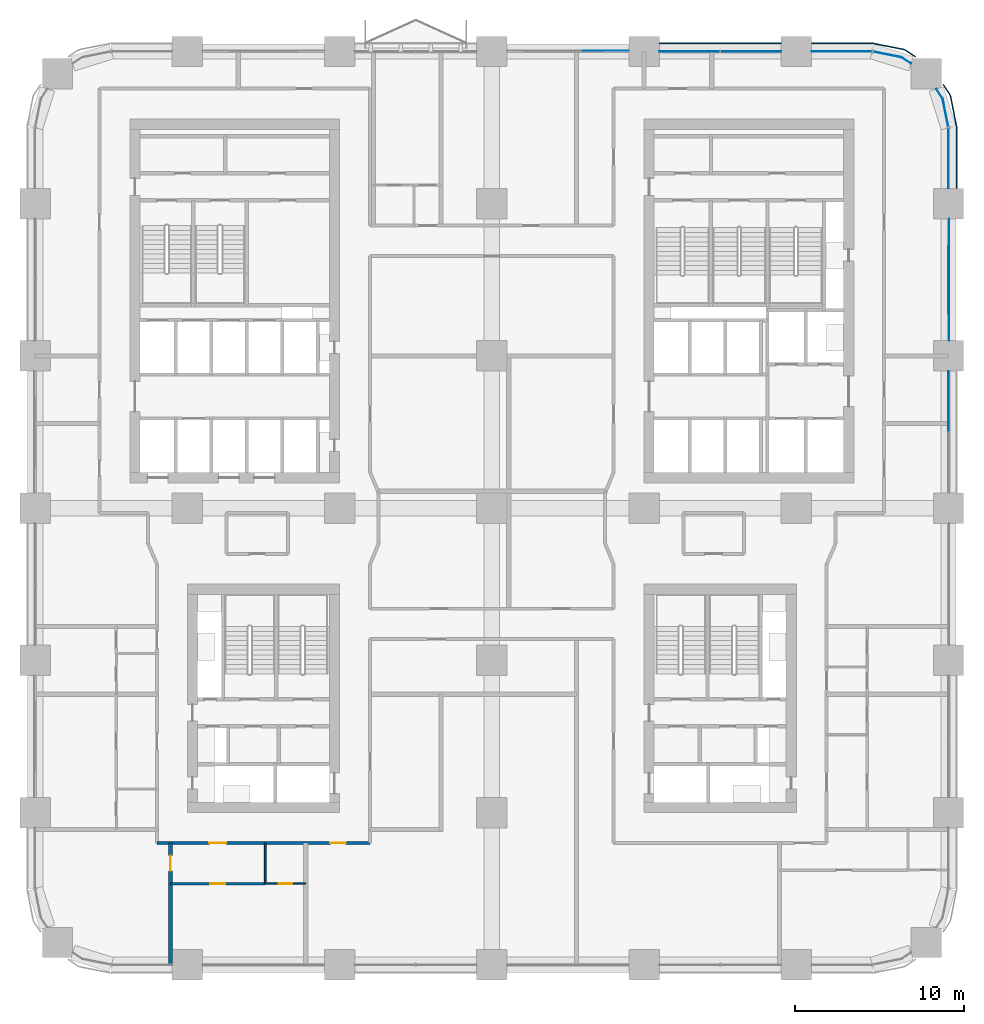
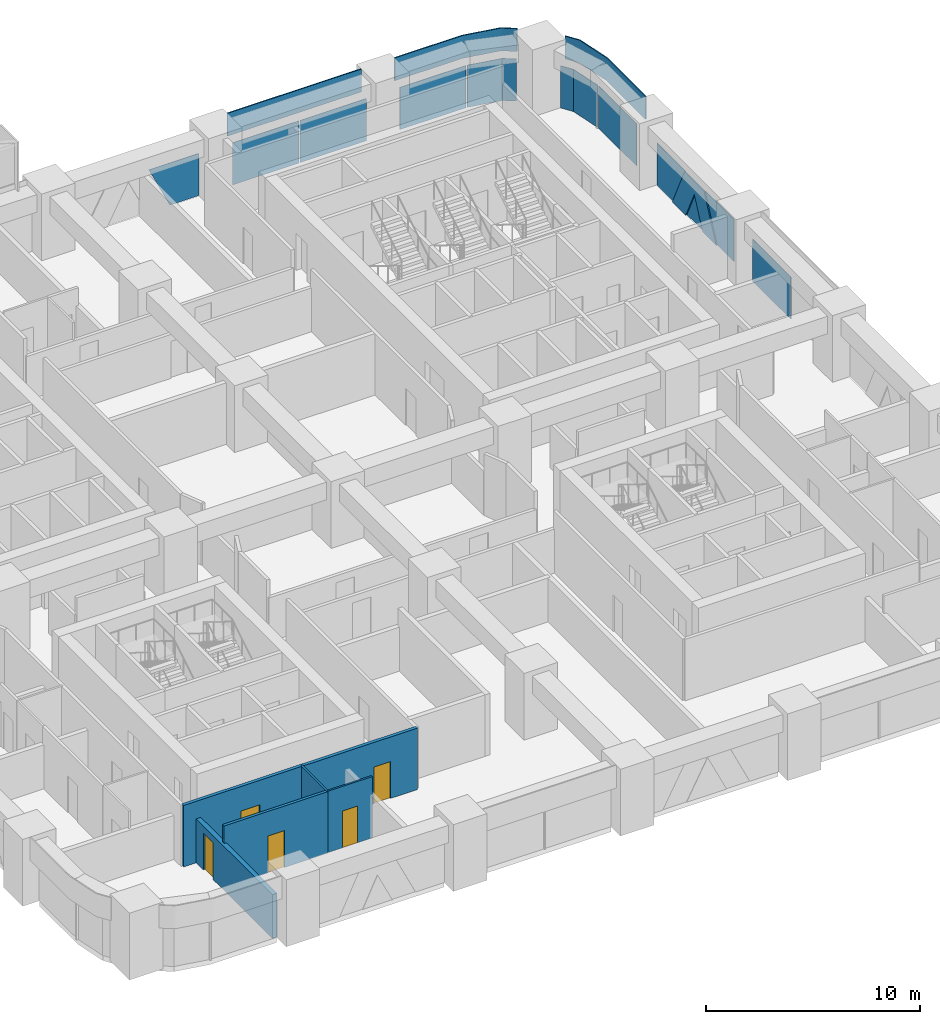
# One storey, part 12 of 23: 15 plates, 5 doors, 5 walls, 5 openings, 6 elements without a shape of their own.
"""IFC4 building model written with IfcOpenShell, lengths in metres."""

from ifc_helpers import new_model, si_unit, direction, frame, frame_2d, origin, origin_2d, place, context, subcontext, project, spatial, polyline, rectangle, outline, extrude, material, layer, layer_set, type_object, element, fill, aggregate, save


model = new_model("IFC4")

# Units and contexts
model_context = context("Model", 3, precision=1e-05, world=origin(), true_north=direction((0.0, 1.0)))
body_context = subcontext(model_context, "Body", "Model", "MODEL_VIEW")
ifc_project = project(units=[si_unit("LENGTHUNIT", "METRE"), si_unit("AREAUNIT", "SQUARE_METRE"), si_unit("VOLUMEUNIT", "CUBIC_METRE"), si_unit("PLANEANGLEUNIT", "RADIAN"), si_unit("MASSUNIT", "GRAM", prefix="KILO")], contexts=[model_context])

# Site, building, storey
site_placement = place(None, origin())
site = spatial("IfcSite", under=ifc_project, at=site_placement, CompositionType="ELEMENT")
building_placement = place(site_placement, origin())
building = spatial("IfcBuilding", under=site, at=building_placement, Name="Tessera Arch", CompositionType="ELEMENT")
storey_placement = place(building_placement, frame((0.0, 0.0, 34.800048828125)))
storey = spatial("IfcBuildingStorey", under=building, at=storey_placement, Name="L06", CompositionType="ELEMENT", Elevation=34.800048828125)

# Curtain wall, plate
ifc_material_1 = material(Name="CW1 curtain wall")
curtain_wall_type_1 = type_object("IfcCurtainWallType", Name="CW1 curtain wall", PredefinedType="NOTDEFINED", material=ifc_material_1)
curtain_wall_1_placement = place(storey_placement, origin())
curtain_wall_1 = element("IfcCurtainWall", 1, at=curtain_wall_1_placement, inside=storey, type_object=curtain_wall_type_1, Name="CW1 curtain wall E54.0/3 L06", PredefinedType="NOTDEFINED")
ifc_material_2 = material(Name="Clear low-e glass", Category="glass")
ifc_material_3 = material(Name="Clear low-e glass", Category="glass")
ifc_layer_1 = layer(ifc_material_3, 0.028076171875)
ifc_layer_set_1 = layer_set([ifc_layer_1], Name="CW1 glass panel")
plate_type_1 = type_object("IfcPlateType", Name="CW1 glass panel", PredefinedType="CURTAIN_PANEL", material=ifc_layer_set_1)
plate_1_placement = place(storey_placement, frame((54.0, 33.31494140625, 0.0), z_axis=(0.0, 0.0, 1.0), x_axis=(0.0, 1.0, 0.0)))
plate_1 = element("IfcPlate", 2, at=plate_1_placement, type_object=plate_type_1, material=ifc_material_2, Name="CW1 glass panel E54.0/3 1.2.1", PredefinedType="CURTAIN_PANEL", context=body_context, shape_type="SweptSolid", body=[
    extrude(rectangle(XDim=3.570068359375, YDim=0.028076171875, at=origin_2d()), origin(), (0.0, 0.0, 1.0), 2.39990234375),
])
aggregate(curtain_wall_1, [plate_1])

# Curtain wall, plates
curtain_wall_2_placement = place(storey_placement, origin())
curtain_wall_2 = element("IfcCurtainWall", 3, at=curtain_wall_2_placement, inside=storey, type_object=curtain_wall_type_1, Name="CW1 curtain wall N54.0/1 L06", PredefinedType="NOTDEFINED")
plate_2_placement = place(storey_placement, frame((42.31494140625, 54.0, 0.0), z_axis=(0.0, 0.0, 1.0), x_axis=(-1.0, 0.0, 0.0)))
plate_2 = element("IfcPlate", 4, at=plate_2_placement, type_object=plate_type_1, material=ifc_material_2, Name="CW1 glass panel N54.0/1 1.1.1", PredefinedType="CURTAIN_PANEL", context=body_context, shape_type="SweptSolid", body=[
    extrude(rectangle(XDim=3.570068359375, YDim=0.028076171875, at=origin_2d()), origin(), (0.0, 0.0, 1.0), 2.39990234375),
])
plate_3_placement = place(storey_placement, frame((38.68505859375, 54.0, 0.0), z_axis=(0.0, 0.0, 1.0), x_axis=(-1.0, 0.0, 0.0)))
plate_3 = element("IfcPlate", 5, at=plate_3_placement, type_object=plate_type_1, material=ifc_material_2, Name="CW1 glass panel N54.0/1 1.2.1", PredefinedType="CURTAIN_PANEL", context=body_context, shape_type="SweptSolid", body=[
    extrude(rectangle(XDim=3.570068359375, YDim=0.028076171875, at=origin_2d()), origin(), (0.0, 0.0, 1.0), 2.39990234375),
])
ifc_material_4 = material(Name="Pale anodised aluminium panel", Category="aluminium")
ifc_layer_2 = layer(ifc_material_4, 0.06005859375)
ifc_layer_set_2 = layer_set([ifc_layer_2], Name="CW1 spandrel panel")
plate_type_2 = type_object("IfcPlateType", Name="CW1 spandrel panel", PredefinedType="CURTAIN_PANEL", material=ifc_layer_set_2)
plate_4_placement = place(storey_placement, frame((40.5, 54.47998046875, 2.5), z_axis=(0.0, 0.0, 1.0), x_axis=(-1.0, 0.0, 0.0)))
plate_4 = element("IfcPlate", 6, at=plate_4_placement, type_object=plate_type_2, Name="CW1 spandrel panel N54.0/1", PredefinedType="CURTAIN_PANEL", context=body_context, shape_type="SweptSolid", body=[
    extrude(rectangle(XDim=7.199951171875, YDim=0.06005859375, at=origin_2d()), origin(), (0.0, 0.0, 1.0), 1.300048828125),
])
aggregate(curtain_wall_2, [plate_2, plate_3, plate_4])

ifc_material_5 = material(Name="CW2 curtain wall")
curtain_wall_type_2 = type_object("IfcCurtainWallType", Name="CW2 curtain wall", PredefinedType="NOTDEFINED", material=ifc_material_5)
curtain_wall_3_placement = place(storey_placement, origin())
curtain_wall_3 = element("IfcCurtainWall", 7, at=curtain_wall_3_placement, inside=storey, type_object=curtain_wall_type_2, Name="CW2 curtain wall E54.0/5 L06", PredefinedType="NOTDEFINED")
ifc_material_6 = material(Name="Clear low-e glass", Category="glass")
ifc_layer_3 = layer(ifc_material_6, 0.028076171875)
ifc_layer_set_3 = layer_set([ifc_layer_3], Name="CW2 glass panel")
plate_type_3 = type_object("IfcPlateType", Name="CW2 glass panel", PredefinedType="CURTAIN_PANEL", material=ifc_layer_set_3)
plate_5_placement = place(storey_placement, frame((54.0, 47.679931640625, 0.0), z_axis=(0.0, 0.0, 1.0), x_axis=(0.0, 1.0, 0.0)))
plate_5 = element("IfcPlate", 8, at=plate_5_placement, type_object=plate_type_3, material=ifc_material_2, Name="CW2 glass panel E54.0/5 1.1", PredefinedType="CURTAIN_PANEL", context=body_context, shape_type="SweptSolid", body=[
    extrude(rectangle(XDim=3.56005859375, YDim=0.028076171875, at=origin_2d()), origin(), (0.0, 0.0, 1.0), 2.39990234375),
])
plate_6_placement = place(storey_placement, origin())
plate_6 = element("IfcPlate", 9, at=plate_6_placement, type_object=plate_type_3, material=ifc_material_2, Name="CW2 curved glass panel E54.0/5 2.1", PredefinedType="CURTAIN_PANEL", context=body_context, shape_type="SweptSolid", body=[
    extrude(outline(polyline([(53.644287109375, 51.216552734375), (53.978515625, 49.53662109375), (54.005859375, 49.5419921875), (53.670654296875, 51.2275390625), (53.294921875, 51.789794921875), (53.271728515625, 51.774169921875), (53.644287109375, 51.216552734375)])), origin(), (0.0, 0.0, 1.0), 2.39990234375),
])

curtain_wall_4_placement = place(storey_placement, origin())
curtain_wall_4 = element("IfcCurtainWall", 10, at=curtain_wall_4_placement, inside=storey, type_object=curtain_wall_type_2, Name="CW2 curtain wall N54.0/0 L06", PredefinedType="NOTDEFINED")
plate_7_placement = place(storey_placement, frame((47.679931640625, 54.0, 0.0), z_axis=(0.0, 0.0, 1.0), x_axis=(-1.0, 0.0, 0.0)))
plate_7 = element("IfcPlate", 11, at=plate_7_placement, type_object=plate_type_3, material=ifc_material_2, Name="CW2 glass panel N54.0/0 1.1", PredefinedType="CURTAIN_PANEL", context=body_context, shape_type="SweptSolid", body=[
    extrude(rectangle(XDim=3.56005859375, YDim=0.028076171875, at=origin_2d()), origin(), (0.0, 0.0, 1.0), 2.39990234375),
])
plate_8_placement = place(storey_placement, origin())
plate_8 = element("IfcPlate", 12, at=plate_8_placement, type_object=plate_type_3, material=ifc_material_2, Name="CW2 curved glass panel N54.0/0 2.1", PredefinedType="CURTAIN_PANEL", context=body_context, shape_type="SweptSolid", body=[
    extrude(outline(polyline([(51.216552734375, 53.644287109375), (51.774169921875, 53.271728515625), (51.789794921875, 53.294921875), (51.2275390625, 53.670654296875), (49.5419921875, 54.005859375), (49.53662109375, 53.978515625), (51.216552734375, 53.644287109375)])), origin(), (0.0, 0.0, 1.0), 2.39990234375),
])

# Plate
ifc_material_7 = material(Name="Pale anodised aluminium panel", Category="aluminium")
ifc_layer_4 = layer(ifc_material_7, 0.06005859375)
ifc_layer_set_4 = layer_set([ifc_layer_4], Name="CW2 spandrel panel")
plate_type_4 = type_object("IfcPlateType", Name="CW2 spandrel panel", PredefinedType="CURTAIN_PANEL", material=ifc_layer_set_4)
plate_9_placement = place(storey_placement, frame((0.0, 0.0, 2.5)))
plate_9 = element("IfcPlate", 13, at=plate_9_placement, type_object=plate_type_4, Name="CW2 spandrel panel E54.0/5", PredefinedType="CURTAIN_PANEL", context=body_context, shape_type="SweptSolid", body=[
    extrude(outline(polyline([(54.449951171875, 49.499267578125), (54.449951171875, 45.89990234375), (54.510009765625, 45.89990234375), (54.510009765625, 49.500732421875), (54.507568359375, 49.550048828125), (54.500244140625, 49.598876953125), (54.157470703125, 51.322265625), (54.1455078125, 51.3701171875), (54.128662109375, 51.417236328125), (54.107177734375, 51.462646484375), (54.08203125, 51.5048828125), (53.707275390625, 52.0654296875), (53.657470703125, 52.031982421875), (54.03125, 51.47265625), (54.05419921875, 51.434326171875), (54.0732421875, 51.394287109375), (54.088134765625, 51.352783203125), (54.09912109375, 51.30908203125), (54.441162109375, 49.588623046875), (54.44775390625, 49.544189453125), (54.449951171875, 49.499267578125)])), origin(), (0.0, 0.0, 1.0), 1.300048828125),
])

aggregate(curtain_wall_3, [plate_5, plate_6, plate_9])

plate_10_placement = place(storey_placement, frame((0.0, 0.0, 2.5)))
plate_10 = element("IfcPlate", 14, at=plate_10_placement, type_object=plate_type_4, Name="CW2 spandrel panel N54.0/0", PredefinedType="CURTAIN_PANEL", context=body_context, shape_type="SweptSolid", body=[
    extrude(outline(polyline([(51.47265625, 54.03125), (52.031982421875, 53.657470703125), (52.0654296875, 53.707275390625), (51.5048828125, 54.08203125), (51.462646484375, 54.107177734375), (51.417236328125, 54.128662109375), (51.3701171875, 54.1455078125), (51.322265625, 54.157470703125), (49.598876953125, 54.500244140625), (49.550048828125, 54.507568359375), (49.500732421875, 54.510009765625), (45.89990234375, 54.510009765625), (45.89990234375, 54.449951171875), (49.499267578125, 54.449951171875), (49.544189453125, 54.44775390625), (49.588623046875, 54.441162109375), (51.30908203125, 54.09912109375), (51.352783203125, 54.088134765625), (51.394287109375, 54.0732421875), (51.434326171875, 54.05419921875), (51.47265625, 54.03125)])), origin(), (0.0, 0.0, 1.0), 1.300048828125),
])

aggregate(curtain_wall_4, [plate_7, plate_8, plate_10])

# Curtain wall, plates
ifc_material_8 = material(Name="CW3 curtain wall")
curtain_wall_type_3 = type_object("IfcCurtainWallType", Name="CW3 curtain wall", PredefinedType="NOTDEFINED", material=ifc_material_8)
curtain_wall_5_placement = place(storey_placement, origin())
curtain_wall_5 = element("IfcCurtainWall", 15, at=curtain_wall_5_placement, inside=storey, type_object=curtain_wall_type_3, Name="CW3 curtain wall E54.0/4 L06", PredefinedType="NOTDEFINED")
ifc_material_9 = material(Name="Pale anodised aluminium panel", Category="aluminium")
ifc_layer_5 = layer(ifc_material_9, 0.06005859375)
ifc_layer_set_5 = layer_set([ifc_layer_5], Name="CW3 diagonal panel")
plate_type_5 = type_object("IfcPlateType", Name="CW3 diagonal panel", PredefinedType="CURTAIN_PANEL", material=ifc_layer_set_5)
plate_11_placement = place(storey_placement, frame((54.030029296875, 41.41259765625, 2.39990234375), z_axis=(1.0, 0.0, 0.0), x_axis=(0.0, -1.0, 0.0)))
plate_11 = element("IfcPlate", 16, at=plate_11_placement, type_object=plate_type_5, Name="CW3 diagonal panel E54.0/4 1", PredefinedType="CURTAIN_PANEL", context=body_context, shape_type="SweptSolid", body=[
    extrude(outline(polyline([(0.0, 0.0), (1.8251953125, 0.0), (2.962158203125, 2.39990234375), (1.705078125, 2.39990234375), (0.91259765625, 0.726806640625), (0.1201171875, 2.39990234375), (-1.136962890625, 2.39990234375), (0.0, 0.0)])), origin(), (0.0, 0.0, -1.0), 0.06005859375),
])
ifc_material_10 = material(Name="Clear low-e glass", Category="glass")
ifc_layer_6 = layer(ifc_material_10, 0.028076171875)
ifc_layer_set_6 = layer_set([ifc_layer_6], Name="CW3 glass panel")
plate_type_6 = type_object("IfcPlateType", Name="CW3 glass panel", PredefinedType="CURTAIN_PANEL", material=ifc_layer_set_6)
plate_12_placement = place(storey_placement, frame((54.05810546875, 36.89990234375, 0.0), z_axis=(1.0, 0.0, 0.0), x_axis=(0.0, 1.0, 0.0)))
plate_12 = element("IfcPlate", 17, at=plate_12_placement, type_object=plate_type_6, material=ifc_material_2, Name="CW3 triangulated glass panel E54.0/4 1", PredefinedType="CURTAIN_PANEL", context=body_context, shape_type="SweptSolid", body=[
    extrude(outline(polyline([(0.0, 0.0), (1.550537109375, 0.0), (2.6875, 2.39990234375), (0.0, 2.39990234375), (0.0, 0.0)])), origin(), (0.0, 0.0, -1.0), 0.028076171875),
])
plate_13_placement = place(storey_placement, frame((54.05810546875, 39.70751953125, 0.0), z_axis=(1.0, 0.0, 0.0), x_axis=(0.0, 1.0, 0.0)))
plate_13 = element("IfcPlate", 18, at=plate_13_placement, type_object=plate_type_6, material=ifc_material_2, Name="CW3 triangulated glass panel E54.0/4 2", PredefinedType="CURTAIN_PANEL", context=body_context, shape_type="SweptSolid", body=[
    extrude(outline(polyline([(0.0, 0.0), (1.5849609375, 0.0), (0.79248046875, 1.673095703125), (0.0, 0.0)])), origin(), (0.0, 0.0, -1.0), 0.028076171875),
])
plate_14_placement = place(storey_placement, frame((54.05810546875, 44.10009765625, 2.39990234375), z_axis=(1.0, 0.0, 0.0), x_axis=(0.0, -1.0, 0.0)))
plate_14 = element("IfcPlate", 19, at=plate_14_placement, type_object=plate_type_6, material=ifc_material_2, Name="CW3 triangulated glass panel E54.0/4 3", PredefinedType="CURTAIN_PANEL", context=body_context, shape_type="SweptSolid", body=[
    extrude(outline(polyline([(0.0, 0.0), (2.6875, 0.0), (1.550537109375, 2.39990234375), (0.0, 2.39990234375), (0.0, 0.0)])), origin(), (0.0, 0.0, -1.0), 0.028076171875),
])
aggregate(curtain_wall_5, [plate_12, plate_13, plate_14, plate_11])

# Curtain wall, plate
curtain_wall_6_placement = place(storey_placement, origin())
curtain_wall_6 = element("IfcCurtainWall", 20, at=curtain_wall_6_placement, inside=storey, type_object=curtain_wall_type_3, Name="CW3 curtain wall N54.0/2 L06", PredefinedType="NOTDEFINED")
plate_15_placement = place(storey_placement, frame((35.10009765625, 54.05810546875, 0.0), z_axis=(0.0, 1.0, 0.0), x_axis=(-1.0, 0.0, 0.0)))
plate_15 = element("IfcPlate", 21, at=plate_15_placement, type_object=plate_type_6, material=ifc_material_2, Name="CW3 triangulated glass panel N54.0/2 1", PredefinedType="CURTAIN_PANEL", context=body_context, shape_type="SweptSolid", body=[
    extrude(outline(polyline([(0.0, 0.0), (1.550537109375, 0.0), (2.6875, 2.39990234375), (0.0, 2.39990234375), (0.0, 0.0)])), origin(), (0.0, 0.0, -1.0), 0.028076171875),
])
aggregate(curtain_wall_6, [plate_15])

# Wall, openings, doors
ifc_material_11 = material(Name="Gypsum board on deep steel stud with mineral wool", Category="steel")
ifc_layer_7 = layer(ifc_material_11, 0.175048828125)
ifc_layer_set_7 = layer_set([ifc_layer_7], Name="Corridor wall 175 EI 60")
wall_type_1 = type_object("IfcWallType", Name="Corridor wall 175 EI 60", PredefinedType="PARTITIONING", material=ifc_layer_set_7)
wall_1_placement = place(storey_placement, frame((7.199951171875, 7.199951171875, 0.0), z_axis=(0.0, 0.0, 1.0), x_axis=(1.0, 0.0, 0.0)))
wall_1 = element("IfcWall", 22, at=wall_1_placement, inside=storey, type_object=wall_type_1, Name="L06 partition 1", PredefinedType="PARTITIONING", context=body_context, shape_type="SweptSolid", body=[
    extrude(rectangle(XDim=12.60009765625, YDim=0.175048828125, at=frame_2d((6.300048828125, 0.0))), origin(), (0.0, 0.0, 1.0), 3.5),
])
opening_1_placement = place(wall_1_placement, frame((3.10009765625, 0.0, 0.0)))
opening_1 = element("IfcOpeningElement", 23, at=opening_1_placement, cuts=wall_1, Name="Opening L06-D001", PredefinedType="OPENING", context=body_context, shape_type="SweptSolid", body=[
    extrude(rectangle(XDim=1.0, YDim=2.10009765625, at=frame_2d((0.5, 1.050048828125))), frame((0.0, 0.097412109375, 0.0), z_axis=(0.0, -1.0, 0.0), x_axis=(1.0, 0.0, 0.0)), (0.0, 0.0, 1.0), 0.195068359375),
])
opening_2_placement = place(wall_1_placement, frame((10.25, 0.0, 0.0)))
opening_2 = element("IfcOpeningElement", 24, at=opening_2_placement, cuts=wall_1, Name="Opening L06-D008", PredefinedType="OPENING", context=body_context, shape_type="SweptSolid", body=[
    extrude(rectangle(XDim=0.89990234375, YDim=2.10009765625, at=frame_2d((0.449951171875, 1.050048828125))), frame((0.0, 0.097412109375, 0.0), z_axis=(0.0, -1.0, 0.0), x_axis=(1.0, 0.0, 0.0)), (0.0, 0.0, 1.0), 0.195068359375),
])
ifc_material_12 = material(Name="Fire-rated door leaf")
door_type_1 = type_object("IfcDoorType", Name="Entrance door FD30S 1000 x 2100", OperationType="SINGLE_SWING_LEFT", PredefinedType="DOOR", material=ifc_material_12)
door_1_placement = place(opening_1_placement, origin())
door_1 = element("IfcDoor", 25, at=door_1_placement, inside=storey, type_object=door_type_1, Name="L06 door D001 type D03", OperationType="SINGLE_SWING_RIGHT", OverallHeight=2.10009765625, OverallWidth=1.0, PredefinedType="DOOR", context=body_context, shape_type="SweptSolid", body=[
    extrude(rectangle(XDim=1.0, YDim=2.10009765625, at=frame_2d((0.5, 1.050048828125))), frame((0.0, 0.02490234375, 0.0), z_axis=(0.0, -1.0, 0.0), x_axis=(1.0, 0.0, 0.0)), (0.0, 0.0, 1.0), 0.050048828125),
])
fill(opening_1, door_1)
ifc_material_13 = material(Name="Timber door leaf", Category="wood")
door_type_2 = type_object("IfcDoorType", Name="Room door 900 x 2100", OperationType="SINGLE_SWING_LEFT", PredefinedType="DOOR", material=ifc_material_13)
door_2_placement = place(opening_2_placement, origin())
door_2 = element("IfcDoor", 26, at=door_2_placement, inside=storey, type_object=door_type_2, Name="L06 door D008 type D01", OperationType="SINGLE_SWING_RIGHT", OverallHeight=2.10009765625, OverallWidth=0.89990234375, PredefinedType="DOOR", context=body_context, shape_type="SweptSolid", body=[
    extrude(rectangle(XDim=0.89990234375, YDim=2.10009765625, at=frame_2d((0.449951171875, 1.050048828125))), frame((0.0, 0.02490234375, 0.0), z_axis=(0.0, -1.0, 0.0), x_axis=(1.0, 0.0, 0.0)), (0.0, 0.0, 1.0), 0.050048828125),
])
fill(opening_2, door_2)

# Wall, opening, door
ifc_material_14 = material(Name="Gypsum board on steel stud", Category="steel")
ifc_layer_8 = layer(ifc_material_14, 0.14990234375)
ifc_layer_set_8 = layer_set([ifc_layer_8], Name="Partition 150")
wall_type_2 = type_object("IfcWallType", Name="Partition 150", PredefinedType="PARTITIONING", material=ifc_layer_set_8)
wall_2_placement = place(storey_placement, frame((8.0, 4.800048828125, 0.0), z_axis=(0.0, 0.0, 1.0), x_axis=(1.0, 0.0, 0.0)))
wall_2 = element("IfcWall", 27, at=wall_2_placement, inside=storey, type_object=wall_type_2, Name="L06 partition 35", PredefinedType="PARTITIONING", context=body_context, shape_type="SweptSolid", body=[
    extrude(rectangle(XDim=5.60009765625, YDim=0.14990234375, at=frame_2d((2.800048828125, 0.0))), origin(), (0.0, 0.0, 1.0), 3.5),
])
opening_3_placement = place(wall_2_placement, frame((2.35009765625, 0.0, 0.0)))
opening_3 = element("IfcOpeningElement", 28, at=opening_3_placement, cuts=wall_2, Name="Opening L06-D002", PredefinedType="OPENING", context=body_context, shape_type="SweptSolid", body=[
    extrude(rectangle(XDim=0.89990234375, YDim=2.10009765625, at=frame_2d((0.449951171875, 1.050048828125))), frame((0.0, 0.0849609375, 0.0), z_axis=(0.0, -1.0, 0.0), x_axis=(1.0, 0.0, 0.0)), (0.0, 0.0, 1.0), 0.169921875),
])
door_3_placement = place(opening_3_placement, origin())
door_3 = element("IfcDoor", 29, at=door_3_placement, inside=storey, type_object=door_type_2, Name="L06 door D002 type D01", OperationType="SINGLE_SWING_LEFT", OverallHeight=2.10009765625, OverallWidth=0.89990234375, PredefinedType="DOOR", context=body_context, shape_type="SweptSolid", body=[
    extrude(rectangle(XDim=0.89990234375, YDim=2.10009765625, at=frame_2d((0.449951171875, 1.050048828125))), frame((0.0, 0.02490234375, 0.0), z_axis=(0.0, -1.0, 0.0), x_axis=(1.0, 0.0, 0.0)), (0.0, 0.0, 1.0), 0.050048828125),
])
fill(opening_3, door_3)

ifc_material_15 = material(Name="Double gypsum board on twin steel stud with acoustic mineral wool", Category="steel")
ifc_layer_9 = layer(ifc_material_15, 0.25)
ifc_layer_set_9 = layer_set([ifc_layer_9], Name="Party wall 250 EI 60")
wall_type_3 = type_object("IfcWallType", Name="Party wall 250 EI 60", PredefinedType="PARTITIONING", material=ifc_layer_set_9)
wall_3_placement = place(storey_placement, frame((8.0, 0.0, 0.0), z_axis=(0.0, 0.0, 1.0), x_axis=(0.0, 1.0, 0.0)))
wall_3 = element("IfcWall", 30, at=wall_3_placement, inside=storey, type_object=wall_type_3, Name="L06 partition 56", PredefinedType="PARTITIONING", context=body_context, shape_type="SweptSolid", body=[
    extrude(rectangle(XDim=7.199951171875, YDim=0.25, at=frame_2d((3.60009765625, 0.0))), origin(), (0.0, 0.0, 1.0), 2.5),
])
opening_4_placement = place(wall_3_placement, frame((5.550048828125, 0.0, 0.0)))
opening_4 = element("IfcOpeningElement", 31, at=opening_4_placement, cuts=wall_3, Name="Opening L06-D043", PredefinedType="OPENING", context=body_context, shape_type="SweptSolid", body=[
    extrude(rectangle(XDim=0.89990234375, YDim=2.10009765625, at=frame_2d((0.449951171875, 1.050048828125))), frame((0.0, 0.135009765625, 0.0), z_axis=(0.0, -1.0, 0.0), x_axis=(1.0, 0.0, 0.0)), (0.0, 0.0, 1.0), 0.27001953125),
])
door_4_placement = place(opening_4_placement, origin())
door_4 = element("IfcDoor", 32, at=door_4_placement, inside=storey, type_object=door_type_2, Name="L06 door D043 type D01", OperationType="SINGLE_SWING_RIGHT", OverallHeight=2.10009765625, OverallWidth=0.89990234375, PredefinedType="DOOR", context=body_context, shape_type="SweptSolid", body=[
    extrude(rectangle(XDim=0.89990234375, YDim=2.10009765625, at=frame_2d((0.449951171875, 1.050048828125))), frame((0.0, 0.02490234375, 0.0), z_axis=(0.0, -1.0, 0.0), x_axis=(1.0, 0.0, 0.0)), (0.0, 0.0, 1.0), 0.050048828125),
])
fill(opening_4, door_4)

ifc_material_16 = material(Name="Moisture-resistant board on pre-plumbed steel stud", Category="steel")
ifc_layer_10 = layer(ifc_material_16, 0.10009765625)
ifc_layer_set_10 = layer_set([ifc_layer_10], Name="Wet wall 100")
wall_type_4 = type_object("IfcWallType", Name="Wet wall 100", PredefinedType="PARTITIONING", material=ifc_layer_set_10)
wall_4_placement = place(storey_placement, frame((13.60009765625, 4.800048828125, 0.0), z_axis=(0.0, 0.0, 1.0), x_axis=(1.0, 0.0, 0.0)))
wall_4 = element("IfcWall", 33, at=wall_4_placement, inside=storey, type_object=wall_type_4, Name="L06 partition 68", PredefinedType="PARTITIONING", context=body_context, shape_type="SweptSolid", body=[
    extrude(rectangle(XDim=2.39990234375, YDim=0.10009765625, at=frame_2d((1.199951171875, 0.0))), origin(), (0.0, 0.0, 1.0), 3.5),
])
opening_5_placement = place(wall_4_placement, frame((0.800048828125, 0.0, 0.0)))
opening_5 = element("IfcOpeningElement", 34, at=opening_5_placement, cuts=wall_4, Name="Opening L06-D003", PredefinedType="OPENING", context=body_context, shape_type="SweptSolid", body=[
    extrude(rectangle(XDim=0.800048828125, YDim=2.10009765625, at=frame_2d((0.39990234375, 1.050048828125))), frame((0.0, 0.06005859375, 0.0), z_axis=(0.0, -1.0, 0.0), x_axis=(1.0, 0.0, 0.0)), (0.0, 0.0, 1.0), 0.1201171875),
])
ifc_material_17 = material(Name="Timber door leaf", Category="wood")
door_type_3 = type_object("IfcDoorType", Name="En-suite door 800 x 2100", OperationType="SINGLE_SWING_LEFT", PredefinedType="DOOR", material=ifc_material_17)
door_5_placement = place(opening_5_placement, origin())
door_5 = element("IfcDoor", 35, at=door_5_placement, inside=storey, type_object=door_type_3, Name="L06 door D003 type D02", OperationType="SINGLE_SWING_RIGHT", OverallHeight=2.10009765625, OverallWidth=0.800048828125, PredefinedType="DOOR", context=body_context, shape_type="SweptSolid", body=[
    extrude(rectangle(XDim=0.800048828125, YDim=2.10009765625, at=frame_2d((0.39990234375, 1.050048828125))), frame((0.0, 0.02490234375, 0.0), z_axis=(0.0, -1.0, 0.0), x_axis=(1.0, 0.0, 0.0)), (0.0, 0.0, 1.0), 0.050048828125),
])
fill(opening_5, door_5)

# Wall
wall_5_placement = place(storey_placement, frame((13.60009765625, 4.800048828125, 0.0), z_axis=(0.0, 0.0, 1.0), x_axis=(0.0, 1.0, 0.0)))
element("IfcWall", 36, at=wall_5_placement, inside=storey, type_object=wall_type_4, Name="L06 partition 77", PredefinedType="PARTITIONING", context=body_context, shape_type="SweptSolid", body=[
    extrude(rectangle(XDim=2.39990234375, YDim=0.10009765625, at=frame_2d((1.199951171875, 0.0))), origin(), (0.0, 0.0, 1.0), 3.5),
])

save(model, "model.ifc")
